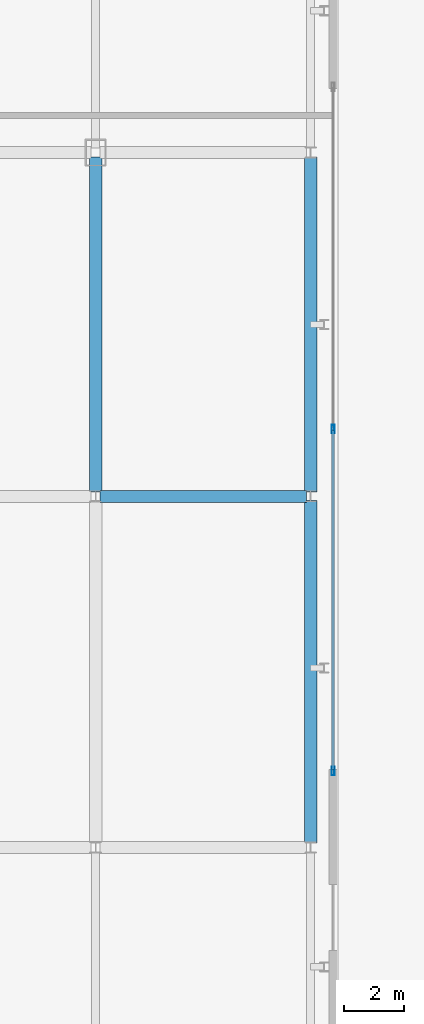
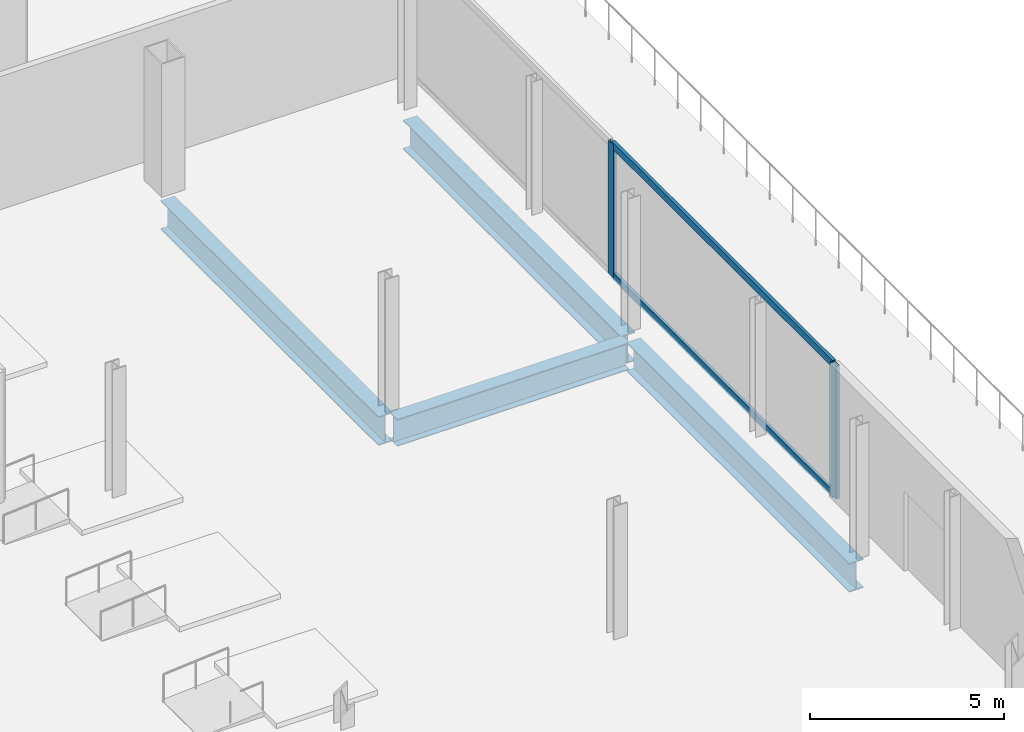
# One storey, part 17 of 31: 4 beams, 4 members, 1 element without a shape of its own.
"""IFC4 building model written with IfcOpenShell, lengths in metres."""

from ifc_helpers import new_model, si_unit, direction, frame, origin, origin_2d, place, context, subcontext, project, spatial, hollow_rectangle, i_section, extrude, source, transform, mapped, material, layer, layer_set, material_profile, profile_set, type_object, element, aggregate, save


model = new_model("IFC4")

# Units and contexts
model_context = context("Model", 3, precision=1e-05, world=origin(), true_north=direction((0.0, 1.0)))
body_context = subcontext(model_context, "Body", "Model", "MODEL_VIEW")
ifc_project = project(units=[si_unit("LENGTHUNIT", "METRE"), si_unit("AREAUNIT", "SQUARE_METRE"), si_unit("VOLUMEUNIT", "CUBIC_METRE"), si_unit("PLANEANGLEUNIT", "RADIAN"), si_unit("MASSUNIT", "GRAM", prefix="KILO")], contexts=[model_context])

# Site, building, storey
site_placement = place(None, origin())
site = spatial("IfcSite", under=ifc_project, at=site_placement, CompositionType="ELEMENT")
building_placement = place(site_placement, origin())
building = spatial("IfcBuilding", under=site, at=building_placement, Name="Kolveth Station Tower", CompositionType="ELEMENT")
storey_placement = place(building_placement, origin())
storey = spatial("IfcBuildingStorey", under=building, at=storey_placement, Name="L00", CompositionType="ELEMENT", Elevation=0.0)

# Beams
ifc_material_1 = material(Name="Steel S355", Category="steel")
ifc_material_profile_1 = material_profile(ifc_material_1, i_section(OverallWidth=0.40087890625, OverallDepth=0.85107421875, WebThickness=0.01611328125, FlangeThickness=0.025390625, at=origin_2d()), Name="W840x226")
ifc_profile_set_1 = profile_set([ifc_material_profile_1], Name="Steel S355")
beam_type_1 = type_object("IfcBeamType", Name="Beam_B2", PredefinedType="BEAM", material=ifc_profile_set_1)
shared_shape_1 = source(origin(), body_context, "Body", "SweptSolid", [
    extrude(i_section(OverallWidth=0.40087890625, OverallDepth=0.85107421875, WebThickness=0.01611328125, FlangeThickness=0.025390625, at=origin_2d()), origin(), (0.0, 0.0, 1.0), 6.900146484375),
])
beam_1_placement = place(storey_placement, frame((63.64990234375, 17.25, -0.74560546875), z_axis=(1.0, 0.0, 0.0), x_axis=(0.0, 1.0, 0.0)))
element("IfcBeam", 1, at=beam_1_placement, inside=storey, type_object=beam_type_1, Name="L00 Station Portal Girder SBM-L00-EW-4-3", PredefinedType="BEAM", context=body_context, shape_type="MappedRepresentation", body=[
    mapped(shared_shape_1, transform((0.0, 0.0, 0.0), x_axis=(1.0, 0.0, 0.0), y_axis=(0.0, 1.0, 0.0), z_axis=(0.0, 0.0, 1.0), scale=1.0)),
])
ifc_material_profile_2 = material_profile(ifc_material_1, i_section(OverallWidth=0.41796875, OverallDepth=0.912109375, WebThickness=0.019287109375, FlangeThickness=0.031982421875, at=origin_2d()), Name="W920x342")
ifc_profile_set_2 = profile_set([ifc_material_profile_2], Name="Steel S355")
beam_type_2 = type_object("IfcBeamType", Name="Beam_B1", PredefinedType="BEAM", material=ifc_profile_set_2)
shared_shape_2 = source(origin(), body_context, "Body", "SweptSolid", [
    extrude(i_section(OverallWidth=0.41796875, OverallDepth=0.912109375, WebThickness=0.019287109375, FlangeThickness=0.031982421875, at=origin_2d()), origin(), (0.0, 0.0, 1.0), 11.4501953125),
])
beam_2_placement = place(storey_placement, frame((70.699951171875, 5.64990234375, -0.77587890625), z_axis=(0.0, 1.0, 0.0), x_axis=(-1.0, 0.0, 0.0)))
element("IfcBeam", 2, at=beam_2_placement, inside=storey, type_object=beam_type_2, Name="L00 Station Spine Girder SBM-L00-NS-4-3", PredefinedType="BEAM", context=body_context, shape_type="MappedRepresentation", body=[
    mapped(shared_shape_2, transform((0.0, 0.0, 0.0), x_axis=(1.0, 0.0, 0.0), y_axis=(0.0, 1.0, 0.0), z_axis=(0.0, 0.0, 1.0), scale=1.0)),
])
shared_shape_3 = source(origin(), body_context, "Body", "SweptSolid", [
    extrude(i_section(OverallWidth=0.41796875, OverallDepth=0.912109375, WebThickness=0.019287109375, FlangeThickness=0.031982421875, at=origin_2d()), origin(), (0.0, 0.0, 1.0), 11.2001953125),
])
for number, where, z_axis, x_axis, name in (
    (3, (63.5, 17.39990234375, -0.77587890625), (0.0, 1.0, 0.0), (-1.0, 0.0, 0.0), "L00 Station Spine Girder SBM-L00-NS-3-4"),
    (4, (70.699951171875, 17.39990234375, -0.77587890625), (0.0, 1.0, 0.0), (-1.0, 0.0, 0.0), "L00 Station Spine Girder SBM-L00-NS-4-4"),
):
    element("IfcBeam", number, at=place(storey_placement, frame(where, z_axis=z_axis, x_axis=x_axis)), inside=storey, type_object=beam_type_2, Name=name, PredefinedType="BEAM", context=body_context, shape_type="MappedRepresentation", body=[
        mapped(shared_shape_3, transform((0.0, 0.0, 0.0), x_axis=(1.0, 0.0, 0.0), y_axis=(0.0, 1.0, 0.0), z_axis=(0.0, 0.0, 1.0), scale=1.0)),
    ])

# Curtain wall, members
ifc_material_2 = material(Name="Black anodized aluminium 6063-T6 and clear station glass", Category="aluminium")
ifc_layer = layer(ifc_material_2, 0.239990234375)
ifc_layer_set = layer_set([ifc_layer], Name="Black anodized aluminium 6063-T6 and clear station glass")
curtain_wall_type = type_object("IfcCurtainWallType", Name="CurtainWall_CW-ST", PredefinedType="NOTDEFINED", material=ifc_layer_set)
curtain_wall_placement = place(storey_placement, origin())
curtain_wall = element("IfcCurtainWall", 5, at=curtain_wall_placement, inside=storey, type_object=curtain_wall_type, Name="L00 Station East Main Hall Curtain Wall", PredefinedType="NOTDEFINED")
ifc_material_3 = material(Name="Black anodized aluminium 6063-T6", Category="aluminium")
ifc_material_profile_3 = material_profile(ifc_material_3, hollow_rectangle(XDim=0.10009765625, YDim=0.280029296875, WallThickness=0.0048828125, at=origin_2d()), Name="ALU-100x280x5")
ifc_profile_set_3 = profile_set([ifc_material_profile_3], Name="Black anodized aluminium 6063-T6")
member_type_1 = type_object("IfcMemberType", Name="Mullion_ML-ST", PredefinedType="MULLION", material=ifc_profile_set_3)
shared_shape_4 = source(origin(), body_context, "Body", "SweptSolid", [
    extrude(hollow_rectangle(XDim=0.10009765625, YDim=0.280029296875, WallThickness=0.0048828125, at=origin_2d()), origin(), (0.0, 0.0, 1.0), 4.179931640625),
])
member_1_placement = place(storey_placement, frame((71.449951171875, 8.050048828125, 0.0), z_axis=(0.0, 0.0, 1.0), x_axis=(-1.0, 0.0, 0.0)))
member_1 = element("IfcMember", 6, at=member_1_placement, type_object=member_type_1, Name="CW-ST mullion 1", PredefinedType="MULLION", context=body_context, shape_type="MappedRepresentation", body=[
    mapped(shared_shape_4, transform((0.0, 0.0, 0.0), x_axis=(1.0, 0.0, 0.0), y_axis=(0.0, 1.0, 0.0), z_axis=(0.0, 0.0, 1.0), scale=1.0)),
])
member_2_placement = place(storey_placement, frame((71.449951171875, 19.5, 0.0), z_axis=(0.0, 0.0, 1.0), x_axis=(-1.0, 0.0, 0.0)))
member_2 = element("IfcMember", 7, at=member_2_placement, type_object=member_type_1, Name="CW-ST mullion 2", PredefinedType="MULLION", context=body_context, shape_type="MappedRepresentation", body=[
    mapped(shared_shape_4, transform((0.0, 0.0, 0.0), x_axis=(1.0, 0.0, 0.0), y_axis=(0.0, 1.0, 0.0), z_axis=(0.0, 0.0, 1.0), scale=1.0)),
])
ifc_material_profile_4 = material_profile(ifc_material_3, hollow_rectangle(XDim=0.094970703125, YDim=0.219970703125, WallThickness=0.0048828125, at=origin_2d()), Name="ALU-95x220x5")
ifc_profile_set_4 = profile_set([ifc_material_profile_4], Name="Black anodized aluminium 6063-T6")
member_type_2 = type_object("IfcMemberType", Name="Transom_TR-ST", PredefinedType="USERDEFINED", material=ifc_profile_set_4)
shared_shape_5 = source(origin(), body_context, "Body", "SweptSolid", [
    extrude(hollow_rectangle(XDim=0.094970703125, YDim=0.219970703125, WallThickness=0.0048828125, at=origin_2d()), origin(), (0.0, 0.0, 1.0), 11.349853515625),
])
member_3_placement = place(storey_placement, frame((71.449951171875, 8.10009765625, 0.047607421875), z_axis=(0.0, 1.0, 0.0), x_axis=(-1.0, 0.0, 0.0)))
member_3 = element("IfcMember", 8, at=member_3_placement, type_object=member_type_2, Name="CW-ST transom 1.1", ObjectType="TRANSOM", PredefinedType="USERDEFINED", context=body_context, shape_type="MappedRepresentation", body=[
    mapped(shared_shape_5, transform((0.0, 0.0, 0.0), x_axis=(1.0, 0.0, 0.0), y_axis=(0.0, 1.0, 0.0), z_axis=(0.0, 0.0, 1.0), scale=1.0)),
])
member_4_placement = place(storey_placement, frame((71.449951171875, 8.10009765625, 4.132568359375), z_axis=(0.0, 1.0, 0.0), x_axis=(-1.0, 0.0, 0.0)))
member_4 = element("IfcMember", 9, at=member_4_placement, type_object=member_type_2, Name="CW-ST transom 1.2", ObjectType="TRANSOM", PredefinedType="USERDEFINED", context=body_context, shape_type="MappedRepresentation", body=[
    mapped(shared_shape_5, transform((0.0, 0.0, 0.0), x_axis=(1.0, 0.0, 0.0), y_axis=(0.0, 1.0, 0.0), z_axis=(0.0, 0.0, 1.0), scale=1.0)),
])
aggregate(curtain_wall, [member_1, member_2, member_3, member_4])

save(model, "model.ifc")
